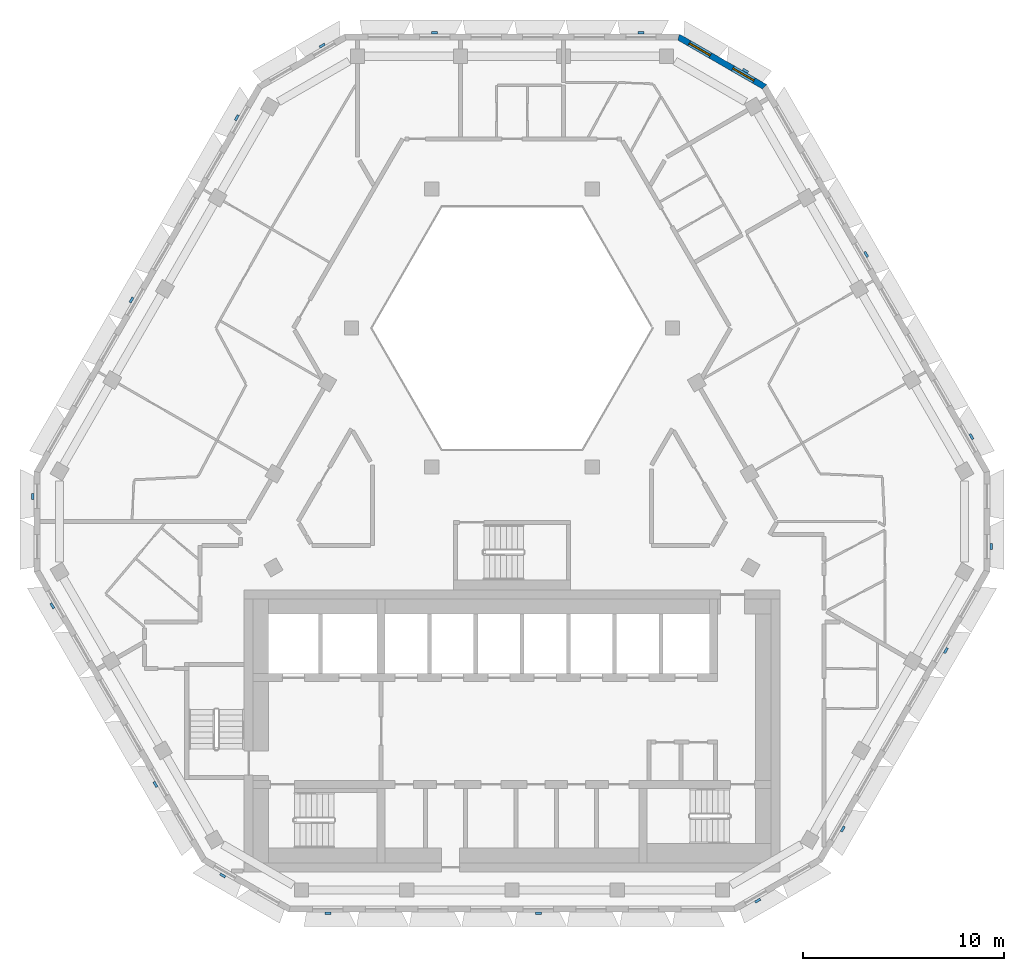
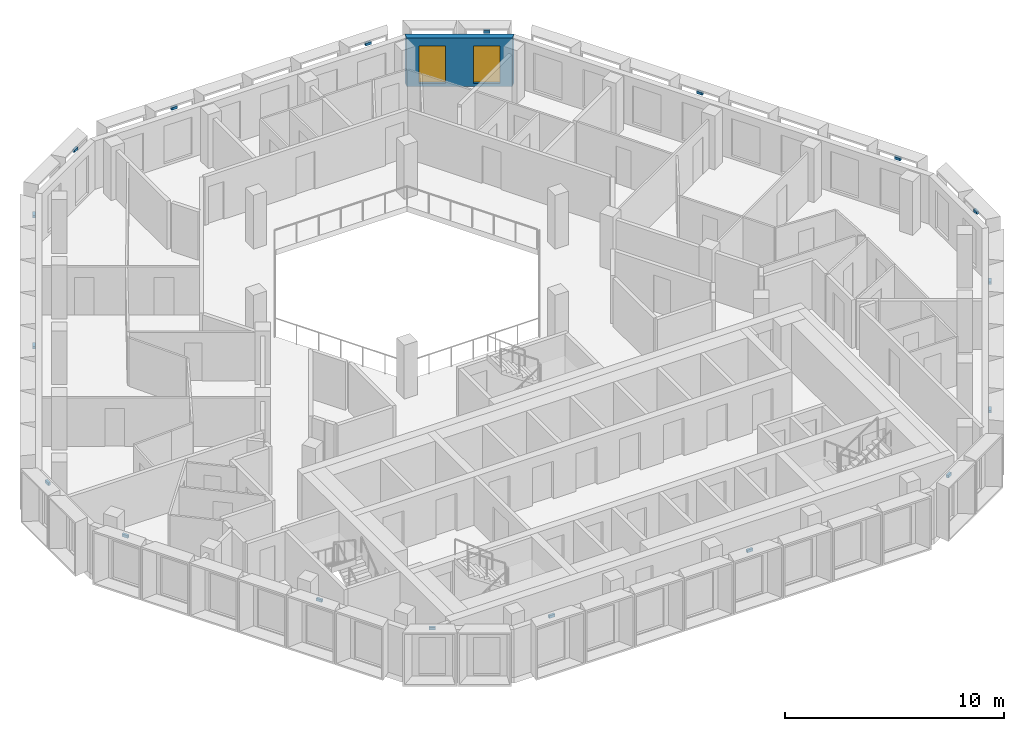
# One storey, part 9 of 16: 18 discrete accessories, 2 windows, 1 wall, 2 openings.
"""IFC4 building model written with IfcOpenShell, lengths in metres."""

from ifc_helpers import new_model, si_unit, direction, frame, frame_2d, origin, place, context, subcontext, project, spatial, polyline, rectangle, outline, extrude, source, transform, mapped, material, layer, layer_set, type_object, type_shapes, element, fill, save


model = new_model("IFC4")

# Units and contexts
model_context = context("Model", 3, precision=1e-05, world=origin(), true_north=direction((0.0, 1.0)))
body_context = subcontext(model_context, "Body", "Model", "MODEL_VIEW")
ifc_project = project(units=[si_unit("LENGTHUNIT", "METRE"), si_unit("AREAUNIT", "SQUARE_METRE"), si_unit("VOLUMEUNIT", "CUBIC_METRE"), si_unit("PLANEANGLEUNIT", "RADIAN"), si_unit("MASSUNIT", "GRAM", prefix="KILO")], contexts=[model_context])

# Site, building, storey
site_placement = place(None, origin())
site = spatial("IfcSite", under=ifc_project, at=site_placement, CompositionType="ELEMENT")
building_placement = place(site_placement, origin())
building = spatial("IfcBuilding", under=site, at=building_placement, Name="Beryl Residences", CompositionType="ELEMENT")
storey_placement = place(building_placement, frame((0.0, 0.0, 226.800048828125)))
storey = spatial("IfcBuildingStorey", under=building, at=storey_placement, Name="L70", CompositionType="ELEMENT", Elevation=226.800048828125)

# Wall, openings, windows
ifc_material_1 = material(Name="Composite metal panel with mineral wool insulation")
ifc_layer = layer(ifc_material_1, 0.300048828125)
ifc_layer_set = layer_set([ifc_layer], Name="ES1 pale metal composite panel wall 300 mm")
wall_type = type_object("IfcWallType", Name="ES1 pale metal composite panel wall 300 mm", PredefinedType="SOLIDWALL", material=ifc_layer_set)
wall_placement = place(storey_placement, frame((12.569091796875, 19.969970703125, 0.0), z_axis=(0.0, 0.0, 1.0), x_axis=(-0.866022959057, 0.500004234368, 0.0)))
wall = element("IfcWall", 1, at=wall_placement, inside=storey, type_object=wall_type, Name="ES1 external wall L70 NE-N", PredefinedType="SOLIDWALL", context=body_context, shape_type="SweptSolid", body=[
    extrude(outline(polyline([(0.0, -0.14990234375), (5.0, -0.14990234375), (4.919677734375, 0.14990234375), (0.080322265625, 0.14990234375), (0.0, -0.14990234375)])), origin(), (0.0, 0.0, 1.0), 2.699951171875),
])
opening_1_placement = place(wall_placement, frame((0.64990234375, 0.0, 0.14990234375)))
opening_1 = element("IfcOpeningElement", 2, at=opening_1_placement, cuts=wall, Name="Opening W2", PredefinedType="OPENING", context=body_context, shape_type="SweptSolid", body=[
    extrude(rectangle(XDim=1.199951171875, YDim=2.10009765625, at=frame_2d((0.60009765625, 1.050048828125))), frame((0.0, 0.159912109375, 0.0), z_axis=(0.0, -1.0, 0.0), x_axis=(1.0, 0.0, 0.0)), (0.0, 0.0, 1.0), 0.320068359375),
])
opening_2_placement = place(wall_placement, frame((3.14990234375, 0.0, 0.14990234375)))
opening_2 = element("IfcOpeningElement", 3, at=opening_2_placement, cuts=wall, Name="Opening W2", PredefinedType="OPENING", context=body_context, shape_type="SweptSolid", body=[
    extrude(rectangle(XDim=1.199951171875, YDim=2.10009765625, at=frame_2d((0.60009765625, 1.050048828125))), frame((0.0, 0.159912109375, 0.0), z_axis=(0.0, -1.0, 0.0), x_axis=(1.0, 0.0, 0.0)), (0.0, 0.0, 1.0), 0.320068359375),
])
ifc_material_2 = material(Name="Aluminium and clear glass", Category="aluminium")
window_type = type_object("IfcWindowType", Name="W2 chamfer window 1200 x 2100 mm", PartitioningType="SINGLE_PANEL", PredefinedType="WINDOW", material=ifc_material_2)
window_1_placement = place(opening_1_placement, origin())
window_1 = element("IfcWindow", 4, at=window_1_placement, inside=storey, type_object=window_type, Name="W2 window L70 NE-N 1", OverallHeight=2.10009765625, OverallWidth=1.199951171875, PartitioningType="SINGLE_PANEL", PredefinedType="WINDOW", context=body_context, shape_type="SweptSolid", body=[
    extrude(rectangle(XDim=1.199951171875, YDim=2.10009765625, at=frame_2d((0.60009765625, 1.050048828125))), frame((0.0, 0.030029296875, 0.0), z_axis=(0.0, -1.0, 0.0), x_axis=(1.0, 0.0, 0.0)), (0.0, 0.0, 1.0), 0.06005859375),
])
fill(opening_1, window_1)
window_2_placement = place(opening_2_placement, origin())
window_2 = element("IfcWindow", 5, at=window_2_placement, inside=storey, type_object=window_type, Name="W2 window L70 NE-N 2", OverallHeight=2.10009765625, OverallWidth=1.199951171875, PartitioningType="SINGLE_PANEL", PredefinedType="WINDOW", context=body_context, shape_type="SweptSolid", body=[
    extrude(rectangle(XDim=1.199951171875, YDim=2.10009765625, at=frame_2d((0.60009765625, 1.050048828125))), frame((0.0, 0.030029296875, 0.0), z_axis=(0.0, -1.0, 0.0), x_axis=(1.0, 0.0, 0.0)), (0.0, 0.0, 1.0), 0.06005859375),
])
fill(opening_2, window_2)

# Discrete accessories
ifc_material_3 = material(Name="Steel S355", Category="steel")
discrete_accessory_type = type_object("IfcDiscreteAccessoryType", Name="BR1 frame bracket 300 x 120 x 150 mm", PredefinedType="BRACKET", material=ifc_material_3)
shared_shape = source(origin(), body_context, "Body", "SweptSolid", [
    extrude(outline(polyline([(-0.14990234375, 0.0), (0.14990234375, 0.0), (0.14990234375, 0.1201171875), (-0.14990234375, 0.1201171875), (-0.14990234375, 0.0)])), origin(), (0.0, 0.0, 1.0), 0.14990234375),
])
type_shapes(discrete_accessory_type, [shared_shape])
for number, where, z_axis, x_axis, name in (
    (6, (6.39892578125, 22.60009765625, 2.75), (0.0, 0.0, 1.0), (1.0, 0.0, 0.0), "BR1 bracket L70 N 1"),
    (7, (-3.839111328125, 22.60009765625, 2.75), (0.0, 0.0, 1.0), (1.0, 0.0, 0.0), "BR1 bracket L70 N 5"),
    (8, (-9.39599609375, 21.97509765625, 2.75), (0.0, 0.0, 1.0), (0.866025403784, 0.5, 0.0), "BR1 bracket L70 N-NW 1"),
    (9, (-13.614013671875, 18.4189453125, 2.75), (0.0, 0.0, 1.0), (0.5, 0.866025403784, 0.0), "BR1 bracket L70 NW 1"),
    (10, (-18.839111328125, 9.368896484375, 2.75), (0.0, 0.0, 1.0), (0.5, 0.866025403784, 0.0), "BR1 bracket L70 NW 5"),
    (11, (-23.72900390625, -0.35009765625, 2.75), (0.0, 0.0, 1.0), (0.0, 1.0, 0.0), "BR1 bracket L70 NW-SW 1"),
    (12, (-22.77099609375, -5.758056640625, 2.75), (0.0, 0.0, 1.0), (-0.5, 0.866025403784, 0.0), "BR1 bracket L70 SW 1"),
    (13, (-17.653076171875, -14.6240234375, 2.75), (0.0, 0.0, 1.0), (-0.5, 0.866025403784, 0.0), "BR1 bracket L70 SW 5"),
    (14, (-14.33203125, -19.125, 2.75), (0.0, 0.0, 1.0), (-0.866025403784, 0.5, 0.0), "BR1 bracket L70 SW-S 1"),
    (15, (-9.14404296875, -21.0, 2.75), (0.0, 0.0, 1.0), (-1.0, 0.0, 0.0), "BR1 bracket L70 S 1"),
    (16, (1.305908203125, -21.0, 2.75), (0.0, 0.0, 1.0), (-1.0, 0.0, 0.0), "BR1 bracket L70 S 5"),
    (17, (12.16796875, -20.375, 2.75), (0.0, 0.0, 1.0), (-0.866025403784, -0.5, 0.0), "BR1 bracket L70 S-SE 1"),
    (18, (16.373046875, -16.842041015625, 2.75), (0.0, 0.0, 1.0), (-0.5, -0.866025403784, 0.0), "BR1 bracket L70 SE 1"),
    (19, (21.490966796875, -7.97607421875, 2.75), (0.0, 0.0, 1.0), (-0.5, -0.866025403784, 0.0), "BR1 bracket L70 SE 5"),
    (20, (23.72900390625, -2.85009765625, 2.75), (0.0, 0.0, 1.0), (0.0, -1.0, 0.0), "BR1 bracket L70 SE-NE 1"),
    (21, (22.758056640625, 2.5810546875, 2.75), (0.0, 0.0, 1.0), (0.5, -0.866025403784, 0.0), "BR1 bracket L70 NE 1"),
    (22, (17.532958984375, 11.631103515625, 2.75), (0.0, 0.0, 1.0), (0.5, -0.866025403784, 0.0), "BR1 bracket L70 NE 5"),
    (23, (11.56103515625, 20.72509765625, 2.75), (0.0, 0.0, 1.0), (0.866025403784, -0.5, 0.0), "BR1 bracket L70 NE-N 1"),
):
    element("IfcDiscreteAccessory", number, at=place(storey_placement, frame(where, z_axis=z_axis, x_axis=x_axis)), inside=storey, type_object=discrete_accessory_type, Name=name, PredefinedType="BRACKET", context=body_context, shape_type="MappedRepresentation", body=[
        mapped(shared_shape, transform((0.0, 0.0, 0.0))),
    ])

save(model, "model.ifc")
